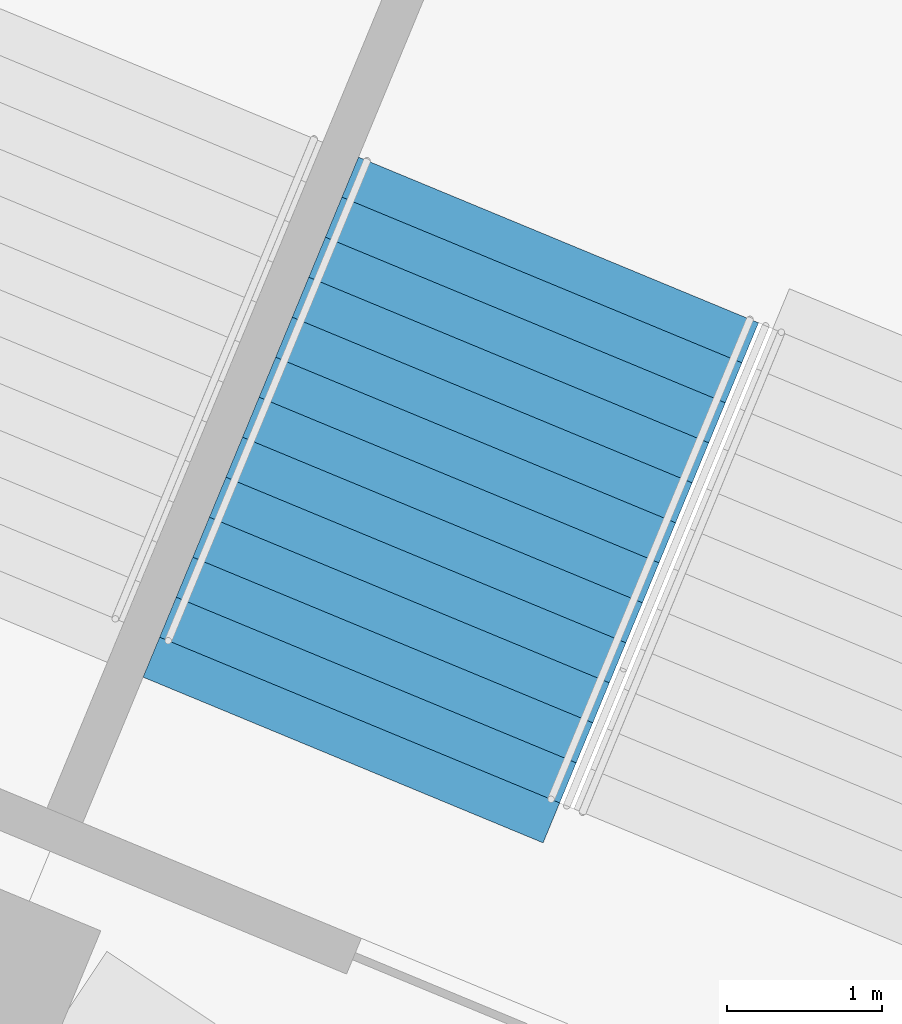
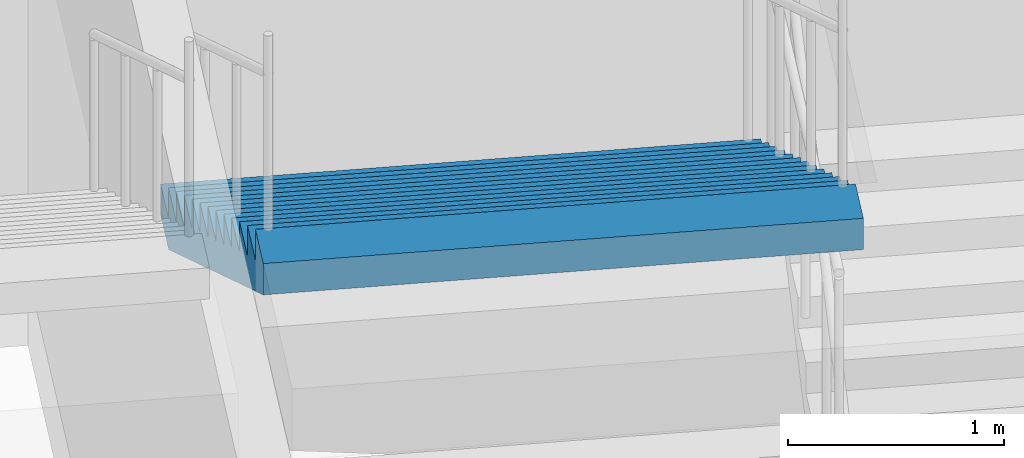
# One storey, part 231 of 249: 1 stair flight, 1 element without a shape of its own.
"""IFC4 building model written with IfcOpenShell, lengths in metres."""

from ifc_helpers import new_model, si_unit, direction, frame, origin, place, context, subcontext, project, spatial, faceted_brep, material, type_object, element, aggregate, save


model = new_model("IFC4")

# Units and contexts
model_context = context("Model", 3, precision=1e-05, world=origin(), true_north=direction((0.0, 1.0)))
body_context = subcontext(model_context, "Body", "Model", "MODEL_VIEW")
ifc_project = project(units=[si_unit("LENGTHUNIT", "METRE"), si_unit("AREAUNIT", "SQUARE_METRE"), si_unit("VOLUMEUNIT", "CUBIC_METRE"), si_unit("PLANEANGLEUNIT", "RADIAN"), si_unit("MASSUNIT", "GRAM", prefix="KILO")], contexts=[model_context])

# Site, building, storey
site_placement = place(None, origin())
site = spatial("IfcSite", under=ifc_project, at=site_placement, CompositionType="ELEMENT")
building_placement = place(site_placement, origin())
building = spatial("IfcBuilding", under=site, at=building_placement, Name="Ogive Plaza Stadium", CompositionType="ELEMENT")
storey_placement = place(building_placement, frame((0.0, 0.0, 13.5)))
storey = spatial("IfcBuildingStorey", under=building, at=storey_placement, Name="L03", CompositionType="ELEMENT", Elevation=13.5)

# Stair, stair flight
ifc_material_1 = material(Name="Concrete C40/50", Category="concrete")
stair_type = type_object("IfcStairType", Name="Exit stair", PredefinedType="STRAIGHT_RUN_STAIR", material=ifc_material_1)
stair_placement = place(storey_placement, origin())
stair = element("IfcStair", 1, at=stair_placement, inside=storey, type_object=stair_type, Name="Exit stair ST38A L03 to L04", PredefinedType="STRAIGHT_RUN_STAIR")
ifc_material_2 = material(Name="Concrete C40/50", Category="concrete")
stair_flight_type = type_object("IfcStairFlightType", Name="Exit stair flight", PredefinedType="STRAIGHT", material=ifc_material_2)
stair_flight_placement = place(storey_placement, frame((52.9013671875, 94.14697265625, 2.25), z_axis=(0.0, 0.0, 1.0), x_axis=(-0.382683432365, -0.923879532511, 0.0)))
stair_flight = element("IfcStairFlight", 2, at=stair_flight_placement, type_object=stair_flight_type, Name="ST38A flight 2", NumberOfRisers=13, NumberOfTreads=12, PredefinedType="STRAIGHT", RiserHeight=0.173076923, TreadLength=0.28, context=body_context, shape_type="Brep", body=[
    faceted_brep([(0.28515625, -1.39990234375, 0.0), (3.639892578125, -1.39990234375, 2.07373046875), (3.639892578125, -1.39990234375, 2.25), (3.360107421875, -1.39990234375, 2.25), (3.360107421875, -1.39990234375, 2.076904296875), (3.080078125, -1.39990234375, 2.076904296875), (3.080078125, -1.39990234375, 1.90380859375), (2.800048828125, -1.39990234375, 1.90380859375), (2.800048828125, -1.39990234375, 1.730712890625), (2.52001953125, -1.39990234375, 1.730712890625), (2.52001953125, -1.39990234375, 1.5576171875), (2.239990234375, -1.39990234375, 1.5576171875), (2.239990234375, -1.39990234375, 1.384521484375), (1.9599609375, -1.39990234375, 1.384521484375), (1.9599609375, -1.39990234375, 1.21142578125), (1.679931640625, -1.39990234375, 1.21142578125), (1.679931640625, -1.39990234375, 1.03857421875), (1.39990234375, -1.39990234375, 1.03857421875), (1.39990234375, -1.39990234375, 0.865478515625), (1.1201171875, -1.39990234375, 0.865478515625), (1.1201171875, -1.39990234375, 0.6923828125), (0.840087890625, -1.39990234375, 0.6923828125), (0.840087890625, -1.39990234375, 0.519287109375), (0.56005859375, -1.39990234375, 0.519287109375), (0.56005859375, -1.39990234375, 0.34619140625), (0.280029296875, -1.39990234375, 0.34619140625), (0.280029296875, -1.39990234375, 0.173095703125), (0.0, -1.39990234375, 0.173095703125), (0.0, -1.39990234375, 0.0), (0.0, 1.39990234375, 0.0), (0.0, 1.39990234375, 0.173095703125), (0.280029296875, 1.39990234375, 0.173095703125), (0.280029296875, 1.39990234375, 0.34619140625), (0.56005859375, 1.39990234375, 0.34619140625), (0.56005859375, 1.39990234375, 0.519287109375), (0.840087890625, 1.39990234375, 0.519287109375), (0.840087890625, 1.39990234375, 0.6923828125), (1.1201171875, 1.39990234375, 0.6923828125), (1.1201171875, 1.39990234375, 0.865478515625), (1.39990234375, 1.39990234375, 0.865478515625), (1.39990234375, 1.39990234375, 1.03857421875), (1.679931640625, 1.39990234375, 1.03857421875), (1.679931640625, 1.39990234375, 1.21142578125), (1.9599609375, 1.39990234375, 1.21142578125), (1.9599609375, 1.39990234375, 1.384521484375), (2.239990234375, 1.39990234375, 1.384521484375), (2.239990234375, 1.39990234375, 1.5576171875), (2.52001953125, 1.39990234375, 1.5576171875), (2.52001953125, 1.39990234375, 1.730712890625), (2.800048828125, 1.39990234375, 1.730712890625), (2.800048828125, 1.39990234375, 1.90380859375), (3.080078125, 1.39990234375, 1.90380859375), (3.080078125, 1.39990234375, 2.076904296875), (3.360107421875, 1.39990234375, 2.076904296875), (3.360107421875, 1.39990234375, 2.25), (3.639892578125, 1.39990234375, 2.25), (3.639892578125, 1.39990234375, 2.07373046875), (0.28515625, 1.39990234375, 0.0), (0.28515625, -1.0888671875, 0.0), (3.639892578125, -1.0888671875, 2.07373046875), (0.28515625, -0.77783203125, 0.0), (3.639892578125, -0.77783203125, 2.07373046875), (0.28515625, -0.466796875, 0.0), (3.639892578125, -0.466796875, 2.07373046875), (0.28515625, -0.155517578125, 0.0), (3.639892578125, -0.155517578125, 2.07373046875), (0.28515625, 0.155517578125, 0.0), (3.639892578125, 0.155517578125, 2.07373046875), (0.28515625, 0.466796875, 0.0), (3.639892578125, 0.466796875, 2.07373046875), (0.28515625, 0.77783203125, 0.0), (3.639892578125, 0.77783203125, 2.07373046875), (0.28515625, 1.0888671875, 0.0), (3.639892578125, 1.0888671875, 2.07373046875), (3.639892578125, -1.0888671875, 2.25), (3.639892578125, -0.77783203125, 2.25), (3.639892578125, -0.466796875, 2.25), (3.639892578125, -0.155517578125, 2.25), (3.639892578125, 0.155517578125, 2.25), (3.639892578125, 0.466796875, 2.25), (3.639892578125, 0.77783203125, 2.25), (3.639892578125, 1.0888671875, 2.25), (3.360107421875, -1.0888671875, 2.25), (3.360107421875, -0.77783203125, 2.25), (3.360107421875, -0.466796875, 2.25), (3.360107421875, -0.155517578125, 2.25), (3.360107421875, 0.155517578125, 2.25), (3.360107421875, 0.466796875, 2.25), (3.360107421875, 0.77783203125, 2.25), (3.360107421875, 1.0888671875, 2.25), (3.360107421875, -1.0888671875, 2.076904296875), (3.360107421875, -0.77783203125, 2.076904296875), (3.360107421875, -0.466796875, 2.076904296875), (3.360107421875, -0.155517578125, 2.076904296875), (3.360107421875, 0.155517578125, 2.076904296875), (3.360107421875, 0.466796875, 2.076904296875), (3.360107421875, 0.77783203125, 2.076904296875), (3.360107421875, 1.0888671875, 2.076904296875), (3.080078125, -1.0888671875, 2.076904296875), (3.080078125, -0.77783203125, 2.076904296875), (3.080078125, -0.466796875, 2.076904296875), (3.080078125, -0.155517578125, 2.076904296875), (3.080078125, 0.155517578125, 2.076904296875), (3.080078125, 0.466796875, 2.076904296875), (3.080078125, 0.77783203125, 2.076904296875), (3.080078125, 1.0888671875, 2.076904296875), (3.080078125, -1.0888671875, 1.90380859375), (3.080078125, -0.77783203125, 1.90380859375), (3.080078125, -0.466796875, 1.90380859375), (3.080078125, -0.155517578125, 1.90380859375), (3.080078125, 0.155517578125, 1.90380859375), (3.080078125, 0.466796875, 1.90380859375), (3.080078125, 0.77783203125, 1.90380859375), (3.080078125, 1.0888671875, 1.90380859375), (2.800048828125, -1.0888671875, 1.90380859375), (2.800048828125, -0.77783203125, 1.90380859375), (2.800048828125, -0.466796875, 1.90380859375), (2.800048828125, -0.155517578125, 1.90380859375), (2.800048828125, 0.155517578125, 1.90380859375), (2.800048828125, 0.466796875, 1.90380859375), (2.800048828125, 0.77783203125, 1.90380859375), (2.800048828125, 1.0888671875, 1.90380859375), (2.800048828125, -1.0888671875, 1.730712890625), (2.800048828125, -0.77783203125, 1.730712890625), (2.800048828125, -0.466796875, 1.730712890625), (2.800048828125, -0.155517578125, 1.730712890625), (2.800048828125, 0.155517578125, 1.730712890625), (2.800048828125, 0.466796875, 1.730712890625), (2.800048828125, 0.77783203125, 1.730712890625), (2.800048828125, 1.0888671875, 1.730712890625), (2.52001953125, -1.0888671875, 1.730712890625), (2.52001953125, -0.77783203125, 1.730712890625), (2.52001953125, -0.466796875, 1.730712890625), (2.52001953125, -0.155517578125, 1.730712890625), (2.52001953125, 0.155517578125, 1.730712890625), (2.52001953125, 0.466796875, 1.730712890625), (2.52001953125, 0.77783203125, 1.730712890625), (2.52001953125, 1.0888671875, 1.730712890625), (2.52001953125, -1.0888671875, 1.5576171875), (2.52001953125, -0.77783203125, 1.5576171875), (2.52001953125, -0.466796875, 1.5576171875), (2.52001953125, -0.155517578125, 1.5576171875), (2.52001953125, 0.155517578125, 1.5576171875), (2.52001953125, 0.466796875, 1.5576171875), (2.52001953125, 0.77783203125, 1.5576171875), (2.52001953125, 1.0888671875, 1.5576171875), (2.239990234375, -1.0888671875, 1.5576171875), (2.239990234375, -0.77783203125, 1.5576171875), (2.239990234375, -0.466796875, 1.5576171875), (2.239990234375, -0.155517578125, 1.5576171875), (2.239990234375, 0.155517578125, 1.5576171875), (2.239990234375, 0.466796875, 1.5576171875), (2.239990234375, 0.77783203125, 1.5576171875), (2.239990234375, 1.0888671875, 1.5576171875), (2.239990234375, -1.0888671875, 1.384521484375), (2.239990234375, -0.77783203125, 1.384521484375), (2.239990234375, -0.466796875, 1.384521484375), (2.239990234375, -0.155517578125, 1.384521484375), (2.239990234375, 0.155517578125, 1.384521484375), (2.239990234375, 0.466796875, 1.384521484375), (2.239990234375, 0.77783203125, 1.384521484375), (2.239990234375, 1.0888671875, 1.384521484375), (1.9599609375, -1.0888671875, 1.384521484375), (1.9599609375, -0.77783203125, 1.384521484375), (1.9599609375, -0.466796875, 1.384521484375), (1.9599609375, -0.155517578125, 1.384521484375), (1.9599609375, 0.155517578125, 1.384521484375), (1.9599609375, 0.466796875, 1.384521484375), (1.9599609375, 0.77783203125, 1.384521484375), (1.9599609375, 1.0888671875, 1.384521484375), (1.9599609375, -1.0888671875, 1.21142578125), (1.9599609375, -0.77783203125, 1.21142578125), (1.9599609375, -0.466796875, 1.21142578125), (1.9599609375, -0.155517578125, 1.21142578125), (1.9599609375, 0.155517578125, 1.21142578125), (1.9599609375, 0.466796875, 1.21142578125), (1.9599609375, 0.77783203125, 1.21142578125), (1.9599609375, 1.0888671875, 1.21142578125), (1.679931640625, -1.0888671875, 1.21142578125), (1.679931640625, -0.77783203125, 1.21142578125), (1.679931640625, -0.466796875, 1.21142578125), (1.679931640625, -0.155517578125, 1.21142578125), (1.679931640625, 0.155517578125, 1.21142578125), (1.679931640625, 0.466796875, 1.21142578125), (1.679931640625, 0.77783203125, 1.21142578125), (1.679931640625, 1.0888671875, 1.21142578125), (1.679931640625, -1.0888671875, 1.03857421875), (1.679931640625, -0.77783203125, 1.03857421875), (1.679931640625, -0.466796875, 1.03857421875), (1.679931640625, -0.155517578125, 1.03857421875), (1.679931640625, 0.155517578125, 1.03857421875), (1.679931640625, 0.466796875, 1.03857421875), (1.679931640625, 0.77783203125, 1.03857421875), (1.679931640625, 1.0888671875, 1.03857421875), (1.39990234375, -1.0888671875, 1.03857421875), (1.39990234375, -0.77783203125, 1.03857421875), (1.39990234375, -0.466796875, 1.03857421875), (1.39990234375, -0.155517578125, 1.03857421875), (1.39990234375, 0.155517578125, 1.03857421875), (1.39990234375, 0.466796875, 1.03857421875), (1.39990234375, 0.77783203125, 1.03857421875), (1.39990234375, 1.0888671875, 1.03857421875), (1.39990234375, -1.0888671875, 0.865478515625), (1.39990234375, -0.77783203125, 0.865478515625), (1.39990234375, -0.466796875, 0.865478515625), (1.39990234375, -0.155517578125, 0.865478515625), (1.39990234375, 0.155517578125, 0.865478515625), (1.39990234375, 0.466796875, 0.865478515625), (1.39990234375, 0.77783203125, 0.865478515625), (1.39990234375, 1.0888671875, 0.865478515625), (1.1201171875, -1.0888671875, 0.865478515625), (1.1201171875, -0.77783203125, 0.865478515625), (1.1201171875, -0.466796875, 0.865478515625), (1.1201171875, -0.155517578125, 0.865478515625), (1.1201171875, 0.155517578125, 0.865478515625), (1.1201171875, 0.466796875, 0.865478515625), (1.1201171875, 0.77783203125, 0.865478515625), (1.1201171875, 1.0888671875, 0.865478515625), (1.1201171875, -1.0888671875, 0.6923828125), (1.1201171875, -0.77783203125, 0.6923828125), (1.1201171875, -0.466796875, 0.6923828125), (1.1201171875, -0.155517578125, 0.6923828125), (1.1201171875, 0.155517578125, 0.6923828125), (1.1201171875, 0.466796875, 0.6923828125), (1.1201171875, 0.77783203125, 0.6923828125), (1.1201171875, 1.0888671875, 0.6923828125), (0.840087890625, -1.0888671875, 0.6923828125), (0.840087890625, -0.77783203125, 0.6923828125), (0.840087890625, -0.466796875, 0.6923828125), (0.840087890625, -0.155517578125, 0.6923828125), (0.840087890625, 0.155517578125, 0.6923828125), (0.840087890625, 0.466796875, 0.6923828125), (0.840087890625, 0.77783203125, 0.6923828125), (0.840087890625, 1.0888671875, 0.6923828125), (0.840087890625, -1.0888671875, 0.519287109375), (0.840087890625, -0.77783203125, 0.519287109375), (0.840087890625, -0.466796875, 0.519287109375), (0.840087890625, -0.155517578125, 0.519287109375), (0.840087890625, 0.155517578125, 0.519287109375), (0.840087890625, 0.466796875, 0.519287109375), (0.840087890625, 0.77783203125, 0.519287109375), (0.840087890625, 1.0888671875, 0.519287109375), (0.56005859375, -1.0888671875, 0.519287109375), (0.56005859375, -0.77783203125, 0.519287109375), (0.56005859375, -0.466796875, 0.519287109375), (0.56005859375, -0.155517578125, 0.519287109375), (0.56005859375, 0.155517578125, 0.519287109375), (0.56005859375, 0.466796875, 0.519287109375), (0.56005859375, 0.77783203125, 0.519287109375), (0.56005859375, 1.0888671875, 0.519287109375), (0.56005859375, -1.0888671875, 0.34619140625), (0.56005859375, -0.77783203125, 0.34619140625), (0.56005859375, -0.466796875, 0.34619140625), (0.56005859375, -0.155517578125, 0.34619140625), (0.56005859375, 0.155517578125, 0.34619140625), (0.56005859375, 0.466796875, 0.34619140625), (0.56005859375, 0.77783203125, 0.34619140625), (0.56005859375, 1.0888671875, 0.34619140625), (0.280029296875, -1.0888671875, 0.34619140625), (0.280029296875, -0.77783203125, 0.34619140625), (0.280029296875, -0.466796875, 0.34619140625), (0.280029296875, -0.155517578125, 0.34619140625), (0.280029296875, 0.155517578125, 0.34619140625), (0.280029296875, 0.466796875, 0.34619140625), (0.280029296875, 0.77783203125, 0.34619140625), (0.280029296875, 1.0888671875, 0.34619140625), (0.280029296875, -1.0888671875, 0.173095703125), (0.280029296875, -0.77783203125, 0.173095703125), (0.280029296875, -0.466796875, 0.173095703125), (0.280029296875, -0.155517578125, 0.173095703125), (0.280029296875, 0.155517578125, 0.173095703125), (0.280029296875, 0.466796875, 0.173095703125), (0.280029296875, 0.77783203125, 0.173095703125), (0.280029296875, 1.0888671875, 0.173095703125), (0.0, -1.0888671875, 0.173095703125), (0.0, -0.77783203125, 0.173095703125), (0.0, -0.466796875, 0.173095703125), (0.0, -0.155517578125, 0.173095703125), (0.0, 0.155517578125, 0.173095703125), (0.0, 0.466796875, 0.173095703125), (0.0, 0.77783203125, 0.173095703125), (0.0, 1.0888671875, 0.173095703125), (0.0, -1.0888671875, 0.0), (0.0, -0.77783203125, 0.0), (0.0, -0.466796875, 0.0), (0.0, -0.155517578125, 0.0), (0.0, 0.155517578125, 0.0), (0.0, 0.466796875, 0.0), (0.0, 0.77783203125, 0.0), (0.0, 1.0888671875, 0.0)], [[[0, 1, 2, 3, 4, 5, 6, 7, 8, 9, 10, 11, 12, 13, 14, 15, 16, 17, 18, 19, 20, 21, 22, 23, 24, 25, 26, 27, 28]], [[29, 30, 31, 32, 33, 34, 35, 36, 37, 38, 39, 40, 41, 42, 43, 44, 45, 46, 47, 48, 49, 50, 51, 52, 53, 54, 55, 56, 57]], [[0, 58, 59, 1]], [[58, 60, 61, 59]], [[60, 62, 63, 61]], [[62, 64, 65, 63]], [[64, 66, 67, 65]], [[66, 68, 69, 67]], [[68, 70, 71, 69]], [[70, 72, 73, 71]], [[72, 57, 56, 73]], [[1, 59, 74, 2]], [[59, 61, 75, 74]], [[61, 63, 76, 75]], [[63, 65, 77, 76]], [[65, 67, 78, 77]], [[67, 69, 79, 78]], [[69, 71, 80, 79]], [[71, 73, 81, 80]], [[73, 56, 55, 81]], [[2, 74, 82, 3]], [[74, 75, 83, 82]], [[75, 76, 84, 83]], [[76, 77, 85, 84]], [[77, 78, 86, 85]], [[78, 79, 87, 86]], [[79, 80, 88, 87]], [[80, 81, 89, 88]], [[81, 55, 54, 89]], [[3, 82, 90, 4]], [[82, 83, 91, 90]], [[83, 84, 92, 91]], [[84, 85, 93, 92]], [[85, 86, 94, 93]], [[86, 87, 95, 94]], [[87, 88, 96, 95]], [[88, 89, 97, 96]], [[89, 54, 53, 97]], [[4, 90, 98, 5]], [[90, 91, 99, 98]], [[91, 92, 100, 99]], [[92, 93, 101, 100]], [[93, 94, 102, 101]], [[94, 95, 103, 102]], [[95, 96, 104, 103]], [[96, 97, 105, 104]], [[97, 53, 52, 105]], [[5, 98, 106, 6]], [[98, 99, 107, 106]], [[99, 100, 108, 107]], [[100, 101, 109, 108]], [[101, 102, 110, 109]], [[102, 103, 111, 110]], [[103, 104, 112, 111]], [[104, 105, 113, 112]], [[105, 52, 51, 113]], [[6, 106, 114, 7]], [[106, 107, 115, 114]], [[107, 108, 116, 115]], [[108, 109, 117, 116]], [[109, 110, 118, 117]], [[110, 111, 119, 118]], [[111, 112, 120, 119]], [[112, 113, 121, 120]], [[113, 51, 50, 121]], [[7, 114, 122, 8]], [[114, 115, 123, 122]], [[115, 116, 124, 123]], [[116, 117, 125, 124]], [[117, 118, 126, 125]], [[118, 119, 127, 126]], [[119, 120, 128, 127]], [[120, 121, 129, 128]], [[121, 50, 49, 129]], [[8, 122, 130, 9]], [[122, 123, 131, 130]], [[123, 124, 132, 131]], [[124, 125, 133, 132]], [[125, 126, 134, 133]], [[126, 127, 135, 134]], [[127, 128, 136, 135]], [[128, 129, 137, 136]], [[129, 49, 48, 137]], [[9, 130, 138, 10]], [[130, 131, 139, 138]], [[131, 132, 140, 139]], [[132, 133, 141, 140]], [[133, 134, 142, 141]], [[134, 135, 143, 142]], [[135, 136, 144, 143]], [[136, 137, 145, 144]], [[137, 48, 47, 145]], [[10, 138, 146, 11]], [[138, 139, 147, 146]], [[139, 140, 148, 147]], [[140, 141, 149, 148]], [[141, 142, 150, 149]], [[142, 143, 151, 150]], [[143, 144, 152, 151]], [[144, 145, 153, 152]], [[145, 47, 46, 153]], [[11, 146, 154, 12]], [[146, 147, 155, 154]], [[147, 148, 156, 155]], [[148, 149, 157, 156]], [[149, 150, 158, 157]], [[150, 151, 159, 158]], [[151, 152, 160, 159]], [[152, 153, 161, 160]], [[153, 46, 45, 161]], [[12, 154, 162, 13]], [[154, 155, 163, 162]], [[155, 156, 164, 163]], [[156, 157, 165, 164]], [[157, 158, 166, 165]], [[158, 159, 167, 166]], [[159, 160, 168, 167]], [[160, 161, 169, 168]], [[161, 45, 44, 169]], [[13, 162, 170, 14]], [[162, 163, 171, 170]], [[163, 164, 172, 171]], [[164, 165, 173, 172]], [[165, 166, 174, 173]], [[166, 167, 175, 174]], [[167, 168, 176, 175]], [[168, 169, 177, 176]], [[169, 44, 43, 177]], [[14, 170, 178, 15]], [[170, 171, 179, 178]], [[171, 172, 180, 179]], [[172, 173, 181, 180]], [[173, 174, 182, 181]], [[174, 175, 183, 182]], [[175, 176, 184, 183]], [[176, 177, 185, 184]], [[177, 43, 42, 185]], [[15, 178, 186, 16]], [[178, 179, 187, 186]], [[179, 180, 188, 187]], [[180, 181, 189, 188]], [[181, 182, 190, 189]], [[182, 183, 191, 190]], [[183, 184, 192, 191]], [[184, 185, 193, 192]], [[185, 42, 41, 193]], [[16, 186, 194, 17]], [[186, 187, 195, 194]], [[187, 188, 196, 195]], [[188, 189, 197, 196]], [[189, 190, 198, 197]], [[190, 191, 199, 198]], [[191, 192, 200, 199]], [[192, 193, 201, 200]], [[193, 41, 40, 201]], [[17, 194, 202, 18]], [[194, 195, 203, 202]], [[195, 196, 204, 203]], [[196, 197, 205, 204]], [[197, 198, 206, 205]], [[198, 199, 207, 206]], [[199, 200, 208, 207]], [[200, 201, 209, 208]], [[201, 40, 39, 209]], [[18, 202, 210, 19]], [[202, 203, 211, 210]], [[203, 204, 212, 211]], [[204, 205, 213, 212]], [[205, 206, 214, 213]], [[206, 207, 215, 214]], [[207, 208, 216, 215]], [[208, 209, 217, 216]], [[209, 39, 38, 217]], [[19, 210, 218, 20]], [[210, 211, 219, 218]], [[211, 212, 220, 219]], [[212, 213, 221, 220]], [[213, 214, 222, 221]], [[214, 215, 223, 222]], [[215, 216, 224, 223]], [[216, 217, 225, 224]], [[217, 38, 37, 225]], [[20, 218, 226, 21]], [[218, 219, 227, 226]], [[219, 220, 228, 227]], [[220, 221, 229, 228]], [[221, 222, 230, 229]], [[222, 223, 231, 230]], [[223, 224, 232, 231]], [[224, 225, 233, 232]], [[225, 37, 36, 233]], [[21, 226, 234, 22]], [[226, 227, 235, 234]], [[227, 228, 236, 235]], [[228, 229, 237, 236]], [[229, 230, 238, 237]], [[230, 231, 239, 238]], [[231, 232, 240, 239]], [[232, 233, 241, 240]], [[233, 36, 35, 241]], [[22, 234, 242, 23]], [[234, 235, 243, 242]], [[235, 236, 244, 243]], [[236, 237, 245, 244]], [[237, 238, 246, 245]], [[238, 239, 247, 246]], [[239, 240, 248, 247]], [[240, 241, 249, 248]], [[241, 35, 34, 249]], [[23, 242, 250, 24]], [[242, 243, 251, 250]], [[243, 244, 252, 251]], [[244, 245, 253, 252]], [[245, 246, 254, 253]], [[246, 247, 255, 254]], [[247, 248, 256, 255]], [[248, 249, 257, 256]], [[249, 34, 33, 257]], [[24, 250, 258, 25]], [[250, 251, 259, 258]], [[251, 252, 260, 259]], [[252, 253, 261, 260]], [[253, 254, 262, 261]], [[254, 255, 263, 262]], [[255, 256, 264, 263]], [[256, 257, 265, 264]], [[257, 33, 32, 265]], [[25, 258, 266, 26]], [[258, 259, 267, 266]], [[259, 260, 268, 267]], [[260, 261, 269, 268]], [[261, 262, 270, 269]], [[262, 263, 271, 270]], [[263, 264, 272, 271]], [[264, 265, 273, 272]], [[265, 32, 31, 273]], [[26, 266, 274, 27]], [[266, 267, 275, 274]], [[267, 268, 276, 275]], [[268, 269, 277, 276]], [[269, 270, 278, 277]], [[270, 271, 279, 278]], [[271, 272, 280, 279]], [[272, 273, 281, 280]], [[273, 31, 30, 281]], [[27, 274, 282, 28]], [[274, 275, 283, 282]], [[275, 276, 284, 283]], [[276, 277, 285, 284]], [[277, 278, 286, 285]], [[278, 279, 287, 286]], [[279, 280, 288, 287]], [[280, 281, 289, 288]], [[281, 30, 29, 289]], [[28, 282, 58, 0]], [[282, 283, 60, 58]], [[283, 284, 62, 60]], [[284, 285, 64, 62]], [[285, 286, 66, 64]], [[286, 287, 68, 66]], [[287, 288, 70, 68]], [[288, 289, 72, 70]], [[289, 29, 57, 72]]]),
])
aggregate(stair, [stair_flight])

save(model, "model.ifc")
